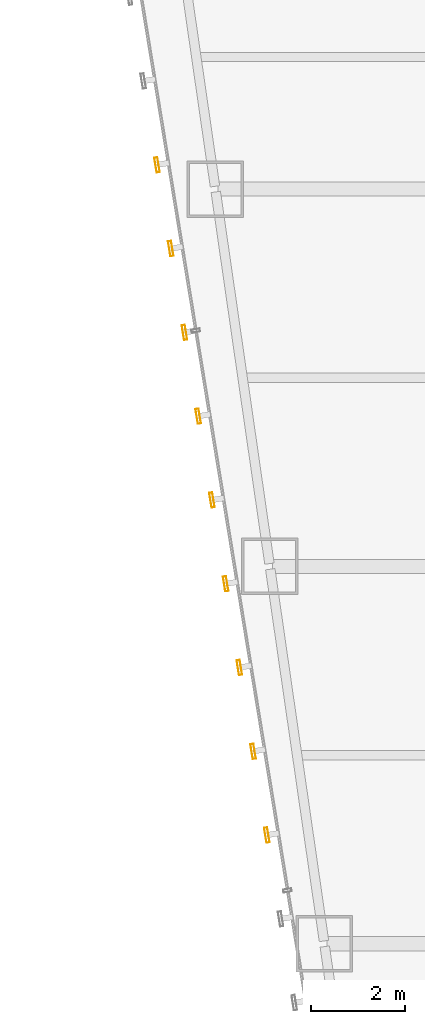
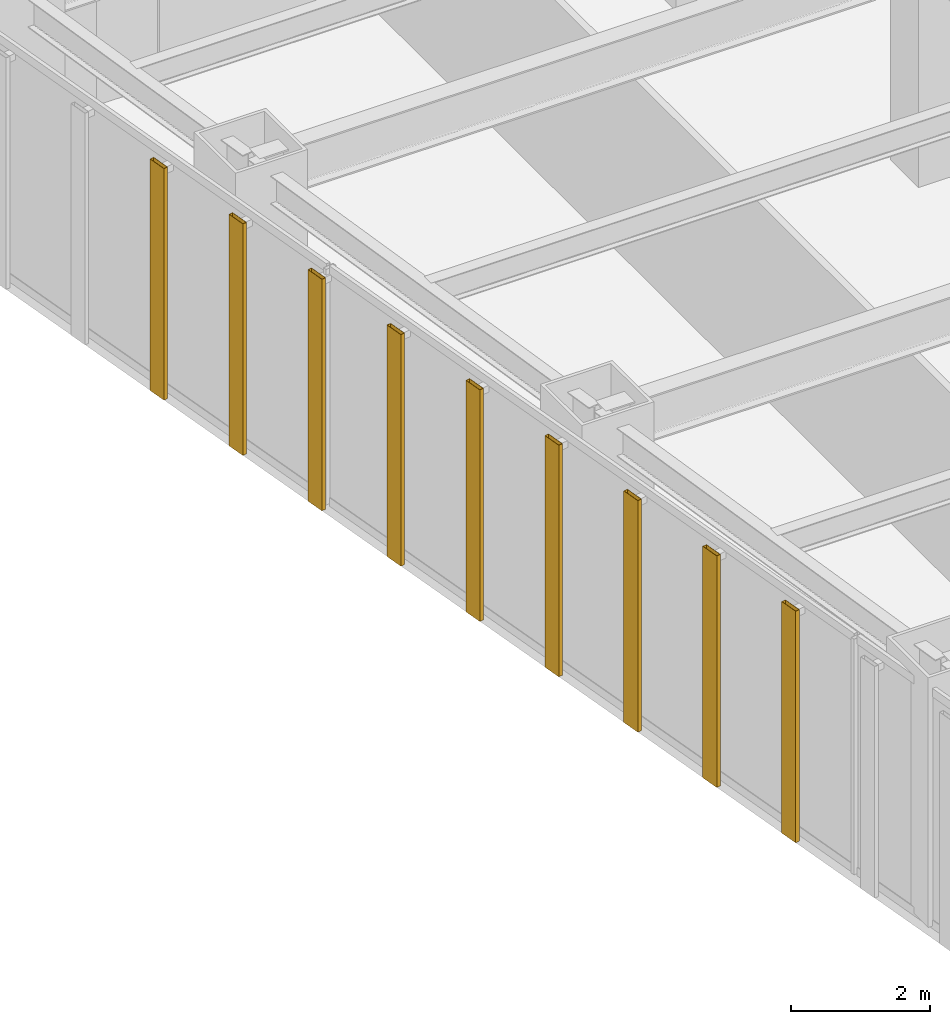
# One storey, part 43 of 47: 9 shading devices.
"""IFC4 building model written with IfcOpenShell, lengths in metres."""

import ifcopenshell
import ifcopenshell.guid

model = None  # the IFC model being written
_history = None  # IfcOwnerHistory: only IFC2X3 demands one
_inside = {}  # id of a spatial element -> (the spatial element, [elements in it])
_under = {}  # id of a project, library or spatial element -> (it, [spatial elements below it])
_declared = {}  # id of a project -> (the project, [libraries it declares])
_typed = {}  # id of a type object -> (the type object, [elements of that type])
_made_of = {}  # id of a material, layer set ... -> (it, [elements and type objects made of it])


def new_model(schema):
    """Start an empty IFC model of exactly this schema.

    Asked for "IFC4X3", IfcOpenShell would pick the latest addendum, in which some entities
    have other attributes; the version numbers below select the first issue.
    IFC2X3 requires an IfcOwnerHistory on every rooted entity: one is made here for all.
    """
    global model, _history
    if schema == "IFC4X3":
        model = ifcopenshell.file(schema_version=(4, 3, 0, 0))
    else:
        model = ifcopenshell.file(schema=schema)
    _inside.clear()
    _under.clear()
    _declared.clear()
    _typed.clear()
    _made_of.clear()
    _history = None
    if model.schema == "IFC2X3":
        org = make("IfcOrganization", Name="unknown")
        user = make(
            "IfcPersonAndOrganization",
            ThePerson=make("IfcPerson", FamilyName="unknown"),
            TheOrganization=org,
        )
        app = make(
            "IfcApplication",
            ApplicationDeveloper=org,
            Version="unknown",
            ApplicationFullName="unknown",
            ApplicationIdentifier="unknown",
        )
        _history = make(
            "IfcOwnerHistory",
            OwningUser=user,
            OwningApplication=app,
            ChangeAction="ADDED",
            CreationDate=0,
        )
    return model


def make(cls, **values):
    """One entity of the class cls with the attributes given. An attribute that is None is left unset."""
    return model.create_entity(
        cls, **{name: value for name, value in values.items() if value is not None}
    )


def rooted(cls, **values):
    """An entity with a GlobalId (a new one), such as an element, a storey or a relation."""
    return make(cls, GlobalId=ifcopenshell.guid.new(), OwnerHistory=_history, **values)


def si_unit(unit_type, name, prefix=None):
    """IfcSIUnit, for example si_unit("LENGTHUNIT", "METRE", prefix="MILLI")."""
    return make("IfcSIUnit", UnitType=unit_type, Prefix=prefix, Name=name)


def assignment(units):
    """IfcUnitAssignment: the units of a project."""
    return None if units is None else make("IfcUnitAssignment", Units=units)


def point(xyz):
    """IfcCartesianPoint."""
    return None if xyz is None else make("IfcCartesianPoint", Coordinates=xyz)


def direction(xyz):
    """IfcDirection."""
    return None if xyz is None else make("IfcDirection", DirectionRatios=xyz)


def frame(location, z_axis=None, x_axis=None):
    """IfcAxis2Placement3D, a coordinate frame: its origin and axes. An axis left out is left unset."""
    return make(
        "IfcAxis2Placement3D",
        Location=point(location),
        Axis=direction(z_axis),
        RefDirection=direction(x_axis),
    )


def frame_2d(location, x_axis=None):
    """IfcAxis2Placement2D, a coordinate frame in the plane: its origin and x axis."""
    return make(
        "IfcAxis2Placement2D", Location=point(location), RefDirection=direction(x_axis)
    )


def origin():
    """The frame at (0, 0, 0) with its axes left unset."""
    return frame((0.0, 0.0, 0.0))


def origin_2d():
    """The frame at (0, 0) in the plane with its x axis left unset."""
    return frame_2d((0.0, 0.0))


def place(relative_to, where):
    """IfcLocalPlacement: puts the frame where relative to a parent placement (None: the world)."""
    return make(
        "IfcLocalPlacement", PlacementRelTo=relative_to, RelativePlacement=where
    )


def context(
    kind, dimensions, precision=None, world=None, true_north=None, identifier=None
):
    """IfcGeometricRepresentationContext, for example the 3D "Model" context."""
    return make(
        "IfcGeometricRepresentationContext",
        ContextIdentifier=identifier,
        ContextType=kind,
        CoordinateSpaceDimension=dimensions,
        Precision=precision,
        WorldCoordinateSystem=world,
        TrueNorth=true_north,
    )


def subcontext(parent, identifier, kind, view, scale=None):
    """IfcGeometricRepresentationSubContext, for example "Body" below "Model"."""
    return make(
        "IfcGeometricRepresentationSubContext",
        ContextIdentifier=identifier,
        ContextType=kind,
        ParentContext=parent,
        TargetScale=scale,
        TargetView=view,
    )


def project(units=None, contexts=None):
    """IfcProject with its units and contexts."""
    return rooted(
        "IfcProject",
        Name="project",
        RepresentationContexts=contexts,
        UnitsInContext=assignment(units),
    )


def spatial(cls, under=None, at=None, **own):
    """A site, building, storey or space (cls), placed at a placement, below another one or the project."""
    s = rooted(cls, ObjectPlacement=at, **own)
    if under is not None:
        _under.setdefault(under.id(), (under, []))[1].append(s)
    return s


def profile(cls, at=None, kind="AREA", **sizes):
    """A parametric profile (cls). Its sizes go by their IFC names, for example OverallWidth=200.0."""
    return make(cls, ProfileType=kind, Position=at, **sizes)


def hollow_rectangle(**sizes):
    """IfcRectangleHollowProfileDef."""
    return profile("IfcRectangleHollowProfileDef", **sizes)


def extrude(swept, where, along, depth):
    """IfcExtrudedAreaSolid: the profile swept, set in the frame where, extruded along a direction by depth."""
    return make(
        "IfcExtrudedAreaSolid",
        SweptArea=swept,
        Position=where,
        ExtrudedDirection=direction(along),
        Depth=depth,
    )


def shape(context_of_items, identifier, shape_type, items):
    """IfcShapeRepresentation: the items that make up one representation, for example the "Body"."""
    return make(
        "IfcShapeRepresentation",
        ContextOfItems=context_of_items,
        RepresentationIdentifier=identifier,
        RepresentationType=shape_type,
        Items=items,
    )


def material(Name=None, Category=None):
    """IfcMaterial."""
    return make("IfcMaterial", Name=Name, Category=Category)


def material_profile(
    of_material, cross_section, Name=None, Category=None, Priority=None
):
    """IfcMaterialProfile: a cross section and its material."""
    return make(
        "IfcMaterialProfile",
        Name=Name,
        Material=of_material,
        Profile=cross_section,
        Priority=Priority,
        Category=Category,
    )


def profile_set(profiles, Name=None, composite=None):
    """IfcMaterialProfileSet."""
    return make(
        "IfcMaterialProfileSet",
        Name=Name,
        MaterialProfiles=profiles,
        CompositeProfile=composite,
    )


def made_of(thing, what):
    """Note that an element or type object is made of a material, layer set ...; save() writes the relation."""
    if what is not None:
        _made_of.setdefault(what.id(), (what, []))[1].append(thing)
    return thing


def type_object(cls, material=None, **own):
    """A type object (cls), such as IfcWallType, which elements share."""
    return made_of(rooted(cls, **own), material)


def element(
    cls,
    number,
    at=None,
    inside=None,
    cuts=None,
    type_object=None,
    material=None,
    context=None,
    identifier="Body",
    shape_type=None,
    held_by="IfcProductDefinitionShape",
    body=None,
    shapes=None,
    **own,
):
    """One element of the class cls, such as IfcWall. Its Tag is "e" and its number.

    at: its placement. inside: the storey or other place that contains it. cuts: it is an
    opening in that element (IfcRelVoidsElement). A single representation is given by context,
    identifier, shape_type and body (its items); several are given by shapes. held_by: the class
    of the entity that holds the representations. save() writes the other relations.
    """
    e = rooted(cls, Tag="e%d" % number, ObjectPlacement=at, **own)
    if body is not None:
        shapes = [shape(context, identifier, shape_type, body)]
    if shapes is not None:
        e.Representation = make(held_by, Representations=shapes)
    if inside is not None:
        _inside.setdefault(inside.id(), (inside, []))[1].append(e)
    if cuts is not None:
        rooted(
            "IfcRelVoidsElement", RelatingBuildingElement=cuts, RelatedOpeningElement=e
        )
    if type_object is not None:
        _typed.setdefault(type_object.id(), (type_object, []))[1].append(e)
    return made_of(e, material)


def aggregate(whole, parts):
    """IfcRelAggregates: a whole, such as a stair, and the parts it consists of."""
    return rooted("IfcRelAggregates", RelatingObject=whole, RelatedObjects=parts)


def save(model, path):
    """Write the relations noted so far, then the file.

    IfcRelAggregates (storeys below a building ...), IfcRelContainedInSpatialStructure (elements
    in a storey), IfcRelDefinesByType, IfcRelAssociatesMaterial and IfcRelDeclares: one each for
    every whole, place, type object, material and project.
    """
    for whole, parts in _under.values():
        aggregate(whole, parts)
    for where, things in _inside.values():
        rooted(
            "IfcRelContainedInSpatialStructure",
            RelatedElements=things,
            RelatingStructure=where,
        )
    for kind, things in _typed.values():
        rooted("IfcRelDefinesByType", RelatedObjects=things, RelatingType=kind)
    for what, things in _made_of.values():
        rooted("IfcRelAssociatesMaterial", RelatedObjects=things, RelatingMaterial=what)
    for by, libraries in _declared.values():
        rooted("IfcRelDeclares", RelatingContext=by, RelatedDefinitions=libraries)
    model.write(path)


model = new_model("IFC4")

# Units and contexts
model_context = context("Model", 3, precision=1e-05, world=origin(), true_north=direction((0.0, 1.0)))
body_context = subcontext(model_context, "Body", "Model", "MODEL_VIEW")
ifc_project = project(units=[si_unit("LENGTHUNIT", "METRE"), si_unit("AREAUNIT", "SQUARE_METRE"), si_unit("VOLUMEUNIT", "CUBIC_METRE"), si_unit("PLANEANGLEUNIT", "RADIAN"), si_unit("MASSUNIT", "GRAM", prefix="KILO")], contexts=[model_context])

# Site, building, storey
site_placement = place(None, origin())
site = spatial("IfcSite", under=ifc_project, at=site_placement, CompositionType="ELEMENT")
building_placement = place(site_placement, origin())
building = spatial("IfcBuilding", under=site, at=building_placement, Name="Saevonmaru Cultural Tower", CompositionType="ELEMENT")
storey_placement = place(building_placement, frame((0.0, 0.0, 56.0)))
storey = spatial("IfcBuildingStorey", under=building, at=storey_placement, Name="L11", CompositionType="ELEMENT", Elevation=56.0)

# Shading devices
ifc_material = material(Name="Satin Bronze Anodised Aluminium", Category="aluminium")
ifc_material_profile = material_profile(ifc_material, hollow_rectangle(XDim=0.070068359375, YDim=0.320068359375, WallThickness=0.0048828125, at=origin_2d()), Name="FIN-320x70")
ifc_profile_set = profile_set([ifc_material_profile], Name="Satin Bronze Anodised Aluminium")
shading_device_type = type_object("IfcShadingDeviceType", Name="SHD-FIN-320", PredefinedType="JALOUSIE", material=ifc_profile_set)
for number, where, z_axis, x_axis, name in (
    (1, (7.0810546875, 32.513916015625, 0.050048828125), (0.0, 0.0, 1.0), (-0.986827496189, -0.161776057456, 0.0), "L11 Art Deco Sawtooth Bronze Fin E12-12"),
    (2, (7.3720703125, 30.737548828125, 0.050048828125), (0.0, 0.0, 1.0), (-0.986827496189, -0.161776057456, 0.0), "L11 Art Deco Sawtooth Bronze Fin E12-13"),
    (3, (7.6630859375, 28.961181640625, 0.050048828125), (0.0, 0.0, 1.0), (-0.986827496189, -0.161776057456, 0.0), "L11 Art Deco Sawtooth Bronze Fin E12-14"),
    (4, (7.9541015625, 27.184814453125, 0.050048828125), (0.0, 0.0, 1.0), (-0.986827496189, -0.161776057456, 0.0), "L11 Art Deco Sawtooth Bronze Fin E12-15"),
    (5, (8.245361328125, 25.40869140625, 0.050048828125), (0.0, 0.0, 1.0), (-0.986827496189, -0.161776057456, 0.0), "L11 Art Deco Sawtooth Bronze Fin E12-16"),
    (6, (8.536376953125, 23.63232421875, 0.050048828125), (0.0, 0.0, 1.0), (-0.986827496189, -0.161776057456, 0.0), "L11 Art Deco Sawtooth Bronze Fin E12-17"),
    (7, (8.827392578125, 21.85595703125, 0.050048828125), (0.0, 0.0, 1.0), (-0.986827496189, -0.161776057456, 0.0), "L11 Art Deco Sawtooth Bronze Fin E12-18"),
    (8, (9.118408203125, 20.07958984375, 0.050048828125), (0.0, 0.0, 1.0), (-0.986827496189, -0.161776057456, 0.0), "L11 Art Deco Sawtooth Bronze Fin E12-19"),
    (9, (9.40966796875, 18.30322265625, 0.050048828125), (0.0, 0.0, 1.0), (-0.986827496189, -0.161776057456, 0.0), "L11 Art Deco Sawtooth Bronze Fin E12-20"),
):
    element("IfcShadingDevice", number, at=place(storey_placement, frame(where, z_axis=z_axis, x_axis=x_axis)), inside=storey, type_object=shading_device_type, Name=name, PredefinedType="JALOUSIE", context=body_context, shape_type="SweptSolid", body=[
        extrude(hollow_rectangle(XDim=0.070068359375, YDim=0.320068359375, WallThickness=0.0048828125, at=origin_2d()), origin(), (0.0, 0.0, 1.0), 4.079833984375),
    ])

save(model, "model.ifc")
